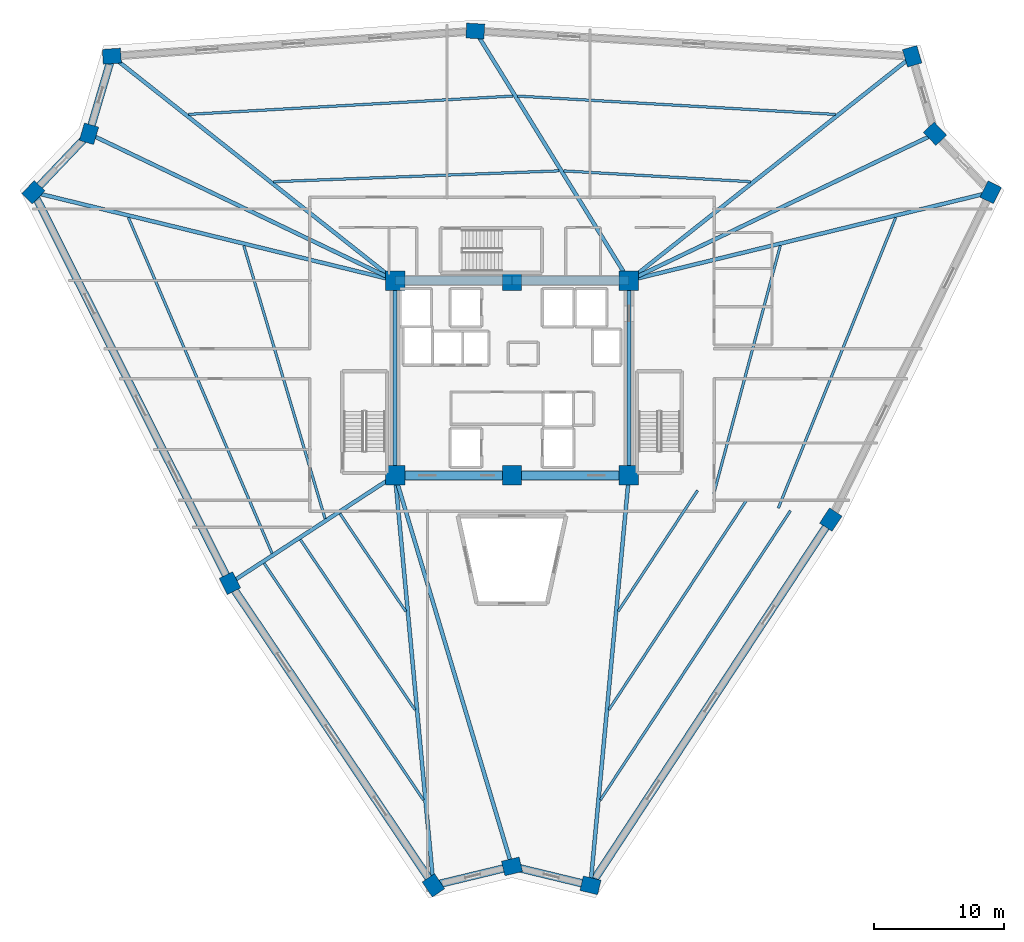
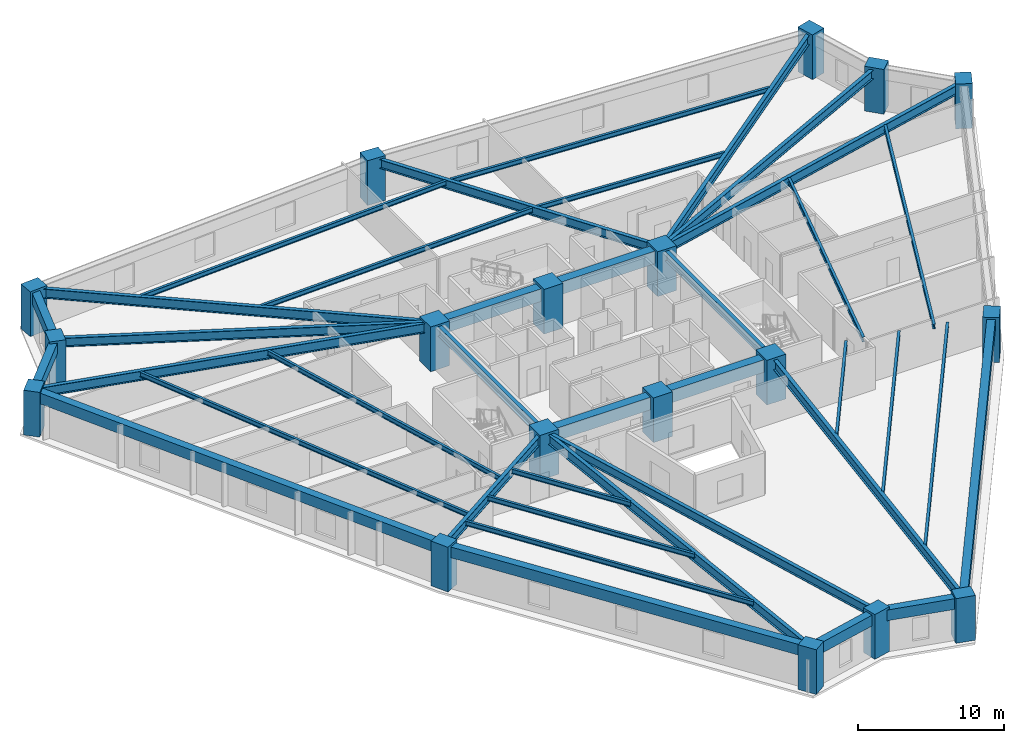
# One storey, part 1 of 8: 38 beams, 18 columns.
"""IFC4 building model written with IfcOpenShell, lengths in metres."""

from ifc_helpers import new_model, si_unit, direction, frame, origin, origin_2d, place, context, subcontext, project, spatial, rectangle, i_section, extrude, source, transform, mapped, material, material_profile, profile_set, type_object, element, save


model = new_model("IFC4")

# Units and contexts
model_context = context("Model", 3, precision=1e-05, world=origin(), true_north=direction((0.0, 1.0)))
body_context = subcontext(model_context, "Body", "Model", "MODEL_VIEW")
ifc_project = project(units=[si_unit("LENGTHUNIT", "METRE"), si_unit("AREAUNIT", "SQUARE_METRE"), si_unit("VOLUMEUNIT", "CUBIC_METRE"), si_unit("PLANEANGLEUNIT", "RADIAN"), si_unit("MASSUNIT", "GRAM", prefix="KILO")], contexts=[model_context])

# Site, building, storey
site_placement = place(None, origin())
site = spatial("IfcSite", under=ifc_project, at=site_placement, CompositionType="ELEMENT")
building_placement = place(site_placement, origin())
building = spatial("IfcBuilding", under=site, at=building_placement, Name="Liaohun Quay Tower", CompositionType="ELEMENT")
storey_placement = place(building_placement, frame((0.0, 0.0, 105.75)))
storey = spatial("IfcBuildingStorey", under=building, at=storey_placement, Name="L27", CompositionType="ELEMENT", Elevation=105.75)

# Columns
ifc_material_1 = material(Name="Concrete C60", Category="concrete")
ifc_material_profile_1 = material_profile(ifc_material_1, rectangle(XDim=1.5, YDim=1.5, at=origin_2d()), Name="RC1500x1500")
ifc_profile_set_1 = profile_set([ifc_material_profile_1], Name="Concrete C60")
column_type_1 = type_object("IfcColumnType", Name="COL-CC-Z2", PredefinedType="COLUMN", material=ifc_profile_set_1)
shared_shape_1 = source(origin(), body_context, "Body", "SweptSolid", [
    extrude(rectangle(XDim=1.5, YDim=1.5, at=origin_2d()), origin(), (0.0, 0.0, 1.0), 3.75),
])
for number, where, z_axis, x_axis, name in (
    (1, (51.0, 46.5, 0.0), (0.0, 0.0, 1.0), (1.0, 0.0, 0.0), "L27 Core Column CC1"),
    (2, (60.0, 46.5, 0.0), (0.0, 0.0, 1.0), (1.0, 0.0, 0.0), "L27 Core Column CC2"),
    (3, (69.0, 46.5, 0.0), (0.0, 0.0, 1.0), (1.0, 0.0, 0.0), "L27 Core Column CC3"),
    (4, (69.0, 61.5, 0.0), (0.0, 0.0, 1.0), (1.0, 0.0, 0.0), "L27 Core Column CC4"),
    (5, (60.0, 61.5, 0.0), (0.0, 0.0, 1.0), (1.0, 0.0, 0.0), "L27 Core Column CC5"),
    (6, (51.0, 61.5, 0.0), (0.0, 0.0, 1.0), (1.0, 0.0, 0.0), "L27 Core Column CC6"),
):
    element("IfcColumn", number, at=place(storey_placement, frame(where, z_axis=z_axis, x_axis=x_axis)), inside=storey, type_object=column_type_1, Name=name, PredefinedType="COLUMN", context=body_context, shape_type="MappedRepresentation", body=[
        mapped(shared_shape_1, transform((0.0, 0.0, 0.0), x_axis=(1.0, 0.0, 0.0), y_axis=(0.0, 1.0, 0.0), z_axis=(0.0, 0.0, 1.0), scale=1.0)),
    ])
ifc_material_profile_2 = material_profile(ifc_material_1, rectangle(XDim=1.39990234375, YDim=1.14990234375, at=origin_2d()), Name="RC1400x1150")
ifc_profile_set_2 = profile_set([ifc_material_profile_2], Name="Concrete C60")
column_type_2 = type_object("IfcColumnType", Name="COL-PIER-Z2", PredefinedType="COLUMN", material=ifc_profile_set_2)
shared_shape_2 = source(origin(), body_context, "Body", "SweptSolid", [
    extrude(rectangle(XDim=1.39990234375, YDim=1.14990234375, at=origin_2d()), origin(), (0.0, 0.0, 1.0), 3.75),
])
for number, where, z_axis, x_axis, name in (
    (7, (53.9541015625, 14.950927734375, 0.0), (0.0, 0.0, 1.0), (-0.558613989835, 0.829427760785, 0.0), "L27 Perimeter Pier PC01"),
    (8, (38.2919921875, 38.205078125, 0.0), (0.0, 0.0, 1.0), (-0.449163069051, 0.89344979568, 0.0), "L27 Perimeter Pier PC02"),
    (9, (23.1640625, 68.29296875, 0.0), (0.0, 0.0, 1.0), (0.68936671806, 0.724412539946, 0.0), "L27 Perimeter Pier PC03"),
    (10, (27.447021484375, 72.7939453125, 0.0), (0.0, 0.0, 1.0), (0.282676303383, 0.959215360337, 0.0), "L27 Perimeter Pier PC04"),
    (11, (29.2060546875, 78.760986328125, 0.0), (0.0, 0.0, 1.0), (0.997612506361, 0.069060025714, 0.0), "L27 Perimeter Pier PC05"),
    (12, (57.175048828125, 80.697021484375, 0.0), (0.0, 0.0, 1.0), (-0.99833175459, 0.0577382696, 0.0), "L27 Perimeter Pier PC06"),
    (13, (90.7958984375, 78.75390625, 0.0), (0.0, 0.0, 1.0), (-0.282676303383, 0.959215360337, 0.0), "L27 Perimeter Pier PC07"),
    (14, (92.552978515625, 72.7939453125, 0.0), (0.0, 0.0, 1.0), (-0.68936671806, 0.724412539946, 0.0), "L27 Perimeter Pier PC08"),
    (15, (96.841064453125, 68.2880859375, 0.0), (0.0, 0.0, 1.0), (0.438998516526, 0.898487786499, 0.0), "L27 Perimeter Pier PC09"),
    (16, (84.532958984375, 43.097900390625, 0.0), (0.0, 0.0, 1.0), (0.549168685539, 0.83571152608, 0.0), "L27 Perimeter Pier PC10"),
    (17, (66.0390625, 14.952880859375, 0.0), (0.0, 0.0, 1.0), (-0.972043021443, 0.234802820391, 0.0), "L27 Perimeter Pier PC11"),
    (18, (60.0, 16.410888671875, 0.0), (0.0, 0.0, 1.0), (0.972043021443, 0.234802820391, 0.0), "L27 Perimeter Pier PC12"),
):
    element("IfcColumn", number, at=place(storey_placement, frame(where, z_axis=z_axis, x_axis=x_axis)), inside=storey, type_object=column_type_2, Name=name, PredefinedType="COLUMN", context=body_context, shape_type="MappedRepresentation", body=[
        mapped(shared_shape_2, transform((0.0, 0.0, 0.0), x_axis=(1.0, 0.0, 0.0), y_axis=(0.0, 1.0, 0.0), z_axis=(0.0, 0.0, 1.0), scale=1.0)),
    ])

# Beams
ifc_material_profile_3 = material_profile(ifc_material_1, rectangle(XDim=0.699951171875, YDim=1.050048828125, at=origin_2d()), Name="RC700x1050")
ifc_profile_set_3 = profile_set([ifc_material_profile_3], Name="Concrete C60")
beam_type_1 = type_object("IfcBeamType", Name="BM-CPL-1", PredefinedType="LINTEL", material=ifc_profile_set_3)
shared_shape_3 = source(origin(), body_context, "Body", "SweptSolid", [
    extrude(rectangle(XDim=0.699951171875, YDim=1.050048828125, at=origin_2d()), origin(), (0.0, 0.0, 1.0), 9.0),
])
for number, where, z_axis, x_axis, name in (
    (19, (51.0, 46.5, 3.044921875), (1.0, 0.0, 0.0), (0.0, 1.0, 0.0), "L27 Core Coupling/Ring Beam CC1-CC2"),
    (20, (60.0, 46.5, 3.044921875), (1.0, 0.0, 0.0), (0.0, 1.0, 0.0), "L27 Core Coupling/Ring Beam CC2-CC3"),
    (21, (69.0, 61.5, 3.044921875), (-1.0, 0.0, 0.0), (0.0, -1.0, 0.0), "L27 Core Coupling/Ring Beam CC4-CC5"),
    (22, (60.0, 61.5, 3.044921875), (-1.0, 0.0, 0.0), (0.0, -1.0, 0.0), "L27 Core Coupling/Ring Beam CC5-CC6"),
):
    element("IfcBeam", number, at=place(storey_placement, frame(where, z_axis=z_axis, x_axis=x_axis)), inside=storey, type_object=beam_type_1, Name=name, PredefinedType="LINTEL", context=body_context, shape_type="MappedRepresentation", body=[
        mapped(shared_shape_3, transform((0.0, 0.0, 0.0), x_axis=(1.0, 0.0, 0.0), y_axis=(0.0, 1.0, 0.0), z_axis=(0.0, 0.0, 1.0), scale=1.0)),
    ])
ifc_material_2 = material(Name="Steel Q355D", Category="steel")
ifc_material_profile_4 = material_profile(ifc_material_2, i_section(OverallWidth=0.300048828125, OverallDepth=0.800048828125, WebThickness=0.013916015625, FlangeThickness=0.02587890625, at=origin_2d()), Name="HN800x300x14x26")
ifc_profile_set_4 = profile_set([ifc_material_profile_4], Name="Steel Q355D")
beam_type_2 = type_object("IfcBeamType", Name="BM-RAD-M1", PredefinedType="BEAM", material=ifc_profile_set_4)
shared_shape_4 = source(origin(), body_context, "Body", "SweptSolid", [
    extrude(i_section(OverallWidth=0.300048828125, OverallDepth=0.800048828125, WebThickness=0.013916015625, FlangeThickness=0.02587890625, at=origin_2d()), origin(), (0.0, 0.0, 1.0), 15.0),
])
for number, where, z_axis, x_axis, name in (
    (23, (69.0, 46.5, 3.169921875), (0.0, 1.0, 0.0), (-1.0, 0.0, 0.0), "L27 Core Coupling/Ring Beam CC3-CC4"),
    (24, (51.0, 61.5, 3.169921875), (0.0, -1.0, 0.0), (1.0, 0.0, 0.0), "L27 Core Coupling/Ring Beam CC6-CC1"),
):
    element("IfcBeam", number, at=place(storey_placement, frame(where, z_axis=z_axis, x_axis=x_axis)), inside=storey, type_object=beam_type_2, Name=name, PredefinedType="BEAM", context=body_context, shape_type="MappedRepresentation", body=[
        mapped(shared_shape_4, transform((0.0, 0.0, 0.0), x_axis=(1.0, 0.0, 0.0), y_axis=(0.0, 1.0, 0.0), z_axis=(0.0, 0.0, 1.0), scale=1.0)),
    ])
shared_shape_5 = source(origin(), body_context, "Body", "SweptSolid", [
    extrude(i_section(OverallWidth=0.300048828125, OverallDepth=0.800048828125, WebThickness=0.013916015625, FlangeThickness=0.02587890625, at=origin_2d()), origin(), (0.0, 0.0, 1.0), 31.68701171875),
])
beam_1_placement = place(storey_placement, frame((51.0, 46.5, 3.169921875), z_axis=(0.093227337297, -0.995644848116, 0.0), x_axis=(0.995644848116, 0.093227337297, 0.0)))
element("IfcBeam", 25, at=beam_1_placement, inside=storey, type_object=beam_type_2, Name="L27 Radial Primary Girder CC1-PC01", PredefinedType="BEAM", context=body_context, shape_type="MappedRepresentation", body=[
    mapped(shared_shape_5, transform((0.0, 0.0, 0.0), x_axis=(1.0, 0.0, 0.0), y_axis=(0.0, 1.0, 0.0), z_axis=(0.0, 0.0, 1.0), scale=1.0)),
])
ifc_material_profile_5 = material_profile(ifc_material_2, i_section(OverallWidth=0.300048828125, OverallDepth=0.75, WebThickness=0.013916015625, FlangeThickness=0.02587890625, at=origin_2d()), Name="HN750x300x14x26")
ifc_profile_set_5 = profile_set([ifc_material_profile_5], Name="Steel Q355D")
beam_type_3 = type_object("IfcBeamType", Name="BM-RAD-M2", PredefinedType="BEAM", material=ifc_profile_set_5)
shared_shape_6 = source(origin(), body_context, "Body", "SweptSolid", [
    extrude(i_section(OverallWidth=0.300048828125, OverallDepth=0.75, WebThickness=0.013916015625, FlangeThickness=0.02587890625, at=origin_2d()), origin(), (0.0, 0.0, 1.0), 15.175537109375),
])
beam_2_placement = place(storey_placement, frame((51.0, 46.5, 3.195068359375), z_axis=(-0.837396741296, -0.546595552184, 0.0), x_axis=(0.546595552184, -0.837396741296, 0.0)))
element("IfcBeam", 26, at=beam_2_placement, inside=storey, type_object=beam_type_3, Name="L27 Radial Primary Girder CC1-PC02", PredefinedType="BEAM", context=body_context, shape_type="MappedRepresentation", body=[
    mapped(shared_shape_6, transform((0.0, 0.0, 0.0), x_axis=(1.0, 0.0, 0.0), y_axis=(0.0, 1.0, 0.0), z_axis=(0.0, 0.0, 1.0), scale=1.0)),
])
shared_shape_7 = source(origin(), body_context, "Body", "SweptSolid", [
    extrude(i_section(OverallWidth=0.300048828125, OverallDepth=0.800048828125, WebThickness=0.013916015625, FlangeThickness=0.02587890625, at=origin_2d()), origin(), (0.0, 0.0, 1.0), 28.65283203125),
])
beam_3_placement = place(storey_placement, frame((51.0, 61.5, 3.169921875), z_axis=(-0.971490477699, 0.237078577143, 0.0), x_axis=(-0.237078577143, -0.971490477699, 0.0)))
element("IfcBeam", 27, at=beam_3_placement, inside=storey, type_object=beam_type_2, Name="L27 Radial Primary Girder CC6-PC03", PredefinedType="BEAM", context=body_context, shape_type="MappedRepresentation", body=[
    mapped(shared_shape_7, transform((0.0, 0.0, 0.0), x_axis=(1.0, 0.0, 0.0), y_axis=(0.0, 1.0, 0.0), z_axis=(0.0, 0.0, 1.0), scale=1.0)),
])
shared_shape_8 = source(origin(), body_context, "Body", "SweptSolid", [
    extrude(i_section(OverallWidth=0.300048828125, OverallDepth=0.75, WebThickness=0.013916015625, FlangeThickness=0.02587890625, at=origin_2d()), origin(), (0.0, 0.0, 1.0), 26.120849609375),
])
for number, where, z_axis, x_axis, name in (
    (28, (51.0, 61.5, 3.195068359375), (-0.901694507085, 0.432373699354, 0.0), (-0.432373699354, -0.901694507085, 0.0), "L27 Radial Primary Girder CC6-PC04"),
    (29, (69.0, 61.5, 3.195068359375), (0.901694507085, 0.432373699354, 0.0), (-0.432373699354, 0.901694507085, 0.0), "L27 Radial Primary Girder CC4-PC08"),
):
    element("IfcBeam", number, at=place(storey_placement, frame(where, z_axis=z_axis, x_axis=x_axis)), inside=storey, type_object=beam_type_3, Name=name, PredefinedType="BEAM", context=body_context, shape_type="MappedRepresentation", body=[
        mapped(shared_shape_8, transform((0.0, 0.0, 0.0), x_axis=(1.0, 0.0, 0.0), y_axis=(0.0, 1.0, 0.0), z_axis=(0.0, 0.0, 1.0), scale=1.0)),
    ])
shared_shape_9 = source(origin(), body_context, "Body", "SweptSolid", [
    extrude(i_section(OverallWidth=0.300048828125, OverallDepth=0.800048828125, WebThickness=0.013916015625, FlangeThickness=0.02587890625, at=origin_2d()), origin(), (0.0, 0.0, 1.0), 27.801513671875),
])
beam_4_placement = place(storey_placement, frame((51.0, 61.5, 3.169921875), z_axis=(-0.783915460931, 0.620867578565, 0.0), x_axis=(-0.620867578565, -0.783915460931, 0.0)))
element("IfcBeam", 30, at=beam_4_placement, inside=storey, type_object=beam_type_2, Name="L27 Radial Primary Girder CC6-PC05", PredefinedType="BEAM", context=body_context, shape_type="MappedRepresentation", body=[
    mapped(shared_shape_9, transform((0.0, 0.0, 0.0), x_axis=(1.0, 0.0, 0.0), y_axis=(0.0, 1.0, 0.0), z_axis=(0.0, 0.0, 1.0), scale=1.0)),
])
shared_shape_10 = source(origin(), body_context, "Body", "SweptSolid", [
    extrude(i_section(OverallWidth=0.300048828125, OverallDepth=0.75, WebThickness=0.013916015625, FlangeThickness=0.02587890625, at=origin_2d()), origin(), (0.0, 0.0, 1.0), 22.546630859375),
])
beam_5_placement = place(storey_placement, frame((69.0, 61.5, 3.195068359375), z_axis=(-0.524464095376, 0.851432564953, 0.0), x_axis=(-0.851432564953, -0.524464095376, 0.0)))
element("IfcBeam", 31, at=beam_5_placement, inside=storey, type_object=beam_type_3, Name="L27 Radial Primary Girder CC4-PC06", PredefinedType="BEAM", context=body_context, shape_type="MappedRepresentation", body=[
    mapped(shared_shape_10, transform((0.0, 0.0, 0.0), x_axis=(1.0, 0.0, 0.0), y_axis=(0.0, 1.0, 0.0), z_axis=(0.0, 0.0, 1.0), scale=1.0)),
])
shared_shape_11 = source(origin(), body_context, "Body", "SweptSolid", [
    extrude(i_section(OverallWidth=0.300048828125, OverallDepth=0.800048828125, WebThickness=0.013916015625, FlangeThickness=0.02587890625, at=origin_2d()), origin(), (0.0, 0.0, 1.0), 27.798583984375),
])
beam_6_placement = place(storey_placement, frame((69.0, 61.5, 3.169921875), z_axis=(0.784066482117, 0.620676849592, 0.0), x_axis=(-0.620676849592, 0.784066482117, 0.0)))
element("IfcBeam", 32, at=beam_6_placement, inside=storey, type_object=beam_type_2, Name="L27 Radial Primary Girder CC4-PC07", PredefinedType="BEAM", context=body_context, shape_type="MappedRepresentation", body=[
    mapped(shared_shape_11, transform((0.0, 0.0, 0.0), x_axis=(1.0, 0.0, 0.0), y_axis=(0.0, 1.0, 0.0), z_axis=(0.0, 0.0, 1.0), scale=1.0)),
])
shared_shape_12 = source(origin(), body_context, "Body", "SweptSolid", [
    extrude(i_section(OverallWidth=0.300048828125, OverallDepth=0.800048828125, WebThickness=0.013916015625, FlangeThickness=0.02587890625, at=origin_2d()), origin(), (0.0, 0.0, 1.0), 28.65673828125),
])
beam_7_placement = place(storey_placement, frame((69.0, 61.5, 3.169921875), z_axis=(0.971539756758, 0.23687655232, 0.0), x_axis=(-0.23687655232, 0.971539756758, 0.0)))
element("IfcBeam", 33, at=beam_7_placement, inside=storey, type_object=beam_type_2, Name="L27 Radial Primary Girder CC4-PC09", PredefinedType="BEAM", context=body_context, shape_type="MappedRepresentation", body=[
    mapped(shared_shape_12, transform((0.0, 0.0, 0.0), x_axis=(1.0, 0.0, 0.0), y_axis=(0.0, 1.0, 0.0), z_axis=(0.0, 0.0, 1.0), scale=1.0)),
])
shared_shape_13 = source(origin(), body_context, "Body", "SweptSolid", [
    extrude(i_section(OverallWidth=0.300048828125, OverallDepth=0.800048828125, WebThickness=0.013916015625, FlangeThickness=0.02587890625, at=origin_2d()), origin(), (0.0, 0.0, 1.0), 31.685791015625),
])
beam_8_placement = place(storey_placement, frame((69.0, 46.5, 3.169921875), z_axis=(-0.093446923072, -0.995624262746, 0.0), x_axis=(0.995624262746, -0.093446923072, 0.0)))
element("IfcBeam", 34, at=beam_8_placement, inside=storey, type_object=beam_type_2, Name="L27 Radial Primary Girder CC3-PC11", PredefinedType="BEAM", context=body_context, shape_type="MappedRepresentation", body=[
    mapped(shared_shape_13, transform((0.0, 0.0, 0.0), x_axis=(1.0, 0.0, 0.0), y_axis=(0.0, 1.0, 0.0), z_axis=(0.0, 0.0, 1.0), scale=1.0)),
])
shared_shape_14 = source(origin(), body_context, "Body", "SweptSolid", [
    extrude(i_section(OverallWidth=0.300048828125, OverallDepth=0.75, WebThickness=0.013916015625, FlangeThickness=0.02587890625, at=origin_2d()), origin(), (0.0, 0.0, 1.0), 31.40625),
])
beam_9_placement = place(storey_placement, frame((51.0, 46.5, 3.195068359375), z_axis=(0.286566861815, -0.958060245344, 0.0), x_axis=(0.958060245344, 0.286566861815, 0.0)))
element("IfcBeam", 35, at=beam_9_placement, inside=storey, type_object=beam_type_3, Name="L27 Radial Primary Girder CC1-PC12", PredefinedType="BEAM", context=body_context, shape_type="MappedRepresentation", body=[
    mapped(shared_shape_14, transform((0.0, 0.0, 0.0), x_axis=(1.0, 0.0, 0.0), y_axis=(0.0, 1.0, 0.0), z_axis=(0.0, 0.0, 1.0), scale=1.0)),
])
ifc_material_profile_6 = material_profile(ifc_material_2, i_section(OverallWidth=0.199951171875, OverallDepth=0.39990234375, WebThickness=0.008056640625, FlangeThickness=0.012939453125, at=origin_2d()), Name="HN400x200x8x13")
ifc_profile_set_6 = profile_set([ifc_material_profile_6], Name="Steel Q355D")
beam_type_4 = type_object("IfcBeamType", Name="BM-SEC-J2", PredefinedType="JOIST", material=ifc_profile_set_6)
shared_shape_15 = source(origin(), body_context, "Body", "SweptSolid", [
    extrude(i_section(OverallWidth=0.199951171875, OverallDepth=0.39990234375, WebThickness=0.008056640625, FlangeThickness=0.012939453125, at=origin_2d()), origin(), (0.0, 0.0, 1.0), 9.06884765625),
])
beam_10_placement = place(storey_placement, frame((51.8291015625, 36.032958984375, 3.3701171875), z_axis=(-0.55862645888, 0.829419362831, 0.0), x_axis=(-0.829419362831, -0.55862645888, 0.0)))
element("IfcBeam", 36, at=beam_10_placement, inside=storey, type_object=beam_type_4, Name="L27 Wing Secondary Floor Joist SJ-01", PredefinedType="JOIST", context=body_context, shape_type="MappedRepresentation", body=[
    mapped(shared_shape_15, transform((0.0, 0.0, 0.0), x_axis=(1.0, 0.0, 0.0), y_axis=(0.0, 1.0, 0.0), z_axis=(0.0, 0.0, 1.0), scale=1.0)),
])
shared_shape_16 = source(origin(), body_context, "Body", "SweptSolid", [
    extrude(i_section(OverallWidth=0.199951171875, OverallDepth=0.39990234375, WebThickness=0.008056640625, FlangeThickness=0.012939453125, at=origin_2d()), origin(), (0.0, 0.0, 1.0), 15.7978515625),
])
beam_11_placement = place(storey_placement, frame((52.5380859375, 28.4609375, 3.3701171875), z_axis=(-0.558631189676, 0.829416176549, 0.0), x_axis=(-0.829416176549, -0.558631189676, 0.0)))
element("IfcBeam", 37, at=beam_11_placement, inside=storey, type_object=beam_type_4, Name="L27 Wing Secondary Floor Joist SJ-02", PredefinedType="JOIST", context=body_context, shape_type="MappedRepresentation", body=[
    mapped(shared_shape_16, transform((0.0, 0.0, 0.0), x_axis=(1.0, 0.0, 0.0), y_axis=(0.0, 1.0, 0.0), z_axis=(0.0, 0.0, 1.0), scale=1.0)),
])
shared_shape_17 = source(origin(), body_context, "Body", "SweptSolid", [
    extrude(i_section(OverallWidth=0.199951171875, OverallDepth=0.39990234375, WebThickness=0.008056640625, FlangeThickness=0.012939453125, at=origin_2d()), origin(), (0.0, 0.0, 1.0), 21.966064453125),
])
beam_12_placement = place(storey_placement, frame((53.18798828125, 21.52099609375, 3.3701171875), z_axis=(-0.558633617235, 0.829414541526, 0.0), x_axis=(-0.829414541526, -0.558633617235, 0.0)))
element("IfcBeam", 38, at=beam_12_placement, inside=storey, type_object=beam_type_4, Name="L27 Wing Secondary Floor Joist SJ-03", PredefinedType="JOIST", context=body_context, shape_type="MappedRepresentation", body=[
    mapped(shared_shape_17, transform((0.0, 0.0, 0.0), x_axis=(1.0, 0.0, 0.0), y_axis=(0.0, 1.0, 0.0), z_axis=(0.0, 0.0, 1.0), scale=1.0)),
])
shared_shape_18 = source(origin(), body_context, "Body", "SweptSolid", [
    extrude(i_section(OverallWidth=0.199951171875, OverallDepth=0.39990234375, WebThickness=0.008056640625, FlangeThickness=0.012939453125, at=origin_2d()), origin(), (0.0, 0.0, 1.0), 21.933349609375),
])
beam_13_placement = place(storey_placement, frame((45.617919921875, 43.166015625, 3.3701171875), z_axis=(-0.285411109474, 0.958405184976, 0.0), x_axis=(-0.958405184976, -0.285411109474, 0.0)))
element("IfcBeam", 39, at=beam_13_placement, inside=storey, type_object=beam_type_4, Name="L27 Wing Secondary Floor Joist SJ-04", PredefinedType="JOIST", context=body_context, shape_type="MappedRepresentation", body=[
    mapped(shared_shape_18, transform((0.0, 0.0, 0.0), x_axis=(1.0, 0.0, 0.0), y_axis=(0.0, 1.0, 0.0), z_axis=(0.0, 0.0, 1.0), scale=1.0)),
])
shared_shape_19 = source(origin(), body_context, "Body", "SweptSolid", [
    extrude(i_section(OverallWidth=0.199951171875, OverallDepth=0.39990234375, WebThickness=0.008056640625, FlangeThickness=0.012939453125, at=origin_2d()), origin(), (0.0, 0.0, 1.0), 28.118896484375),
])
beam_14_placement = place(storey_placement, frame((41.535888671875, 40.501953125, 3.3701171875), z_axis=(-0.393358608191, 0.919385123527, 0.0), x_axis=(-0.919385123527, -0.393358608191, 0.0)))
element("IfcBeam", 40, at=beam_14_placement, inside=storey, type_object=beam_type_4, Name="L27 Wing Secondary Floor Joist SJ-05", PredefinedType="JOIST", context=body_context, shape_type="MappedRepresentation", body=[
    mapped(shared_shape_19, transform((0.0, 0.0, 0.0), x_axis=(1.0, 0.0, 0.0), y_axis=(0.0, 1.0, 0.0), z_axis=(0.0, 0.0, 1.0), scale=1.0)),
])
shared_shape_20 = source(origin(), body_context, "Body", "SweptSolid", [
    extrude(i_section(OverallWidth=0.199951171875, OverallDepth=0.39990234375, WebThickness=0.008056640625, FlangeThickness=0.012939453125, at=origin_2d()), origin(), (0.0, 0.0, 1.0), 21.999755859375),
])
beam_15_placement = place(storey_placement, frame((41.64111328125, 69.10400390625, 3.3701171875), z_axis=(0.999277832372, 0.037997549009, 0.0), x_axis=(-0.037997549009, 0.999277832372, 0.0)))
element("IfcBeam", 41, at=beam_15_placement, inside=storey, type_object=beam_type_4, Name="L27 Wing Secondary Floor Joist SJ-06", PredefinedType="JOIST", context=body_context, shape_type="MappedRepresentation", body=[
    mapped(shared_shape_20, transform((0.0, 0.0, 0.0), x_axis=(1.0, 0.0, 0.0), y_axis=(0.0, 1.0, 0.0), z_axis=(0.0, 0.0, 1.0), scale=1.0)),
])
shared_shape_21 = source(origin(), body_context, "Body", "SweptSolid", [
    extrude(i_section(OverallWidth=0.199951171875, OverallDepth=0.39990234375, WebThickness=0.008056640625, FlangeThickness=0.012939453125, at=origin_2d()), origin(), (0.0, 0.0, 1.0), 25.02099609375),
])
beam_16_placement = place(storey_placement, frame((35.097900390625, 74.285888671875, 3.3701171875), z_axis=(0.998410569796, 0.05635897551, 0.0), x_axis=(-0.05635897551, 0.998410569796, 0.0)))
element("IfcBeam", 42, at=beam_16_placement, inside=storey, type_object=beam_type_4, Name="L27 Wing Secondary Floor Joist SJ-07", PredefinedType="JOIST", context=body_context, shape_type="MappedRepresentation", body=[
    mapped(shared_shape_21, transform((0.0, 0.0, 0.0), x_axis=(1.0, 0.0, 0.0), y_axis=(0.0, 1.0, 0.0), z_axis=(0.0, 0.0, 1.0), scale=1.0)),
])
shared_shape_22 = source(origin(), body_context, "Body", "SweptSolid", [
    extrude(i_section(OverallWidth=0.199951171875, OverallDepth=0.39990234375, WebThickness=0.008056640625, FlangeThickness=0.012939453125, at=origin_2d()), origin(), (0.0, 0.0, 1.0), 14.408935546875),
])
beam_17_placement = place(storey_placement, frame((63.97998046875, 69.93603515625, 3.3701171875), z_axis=(0.998335348175, -0.057676100629, 0.0), x_axis=(0.057676100629, 0.998335348175, 0.0)))
element("IfcBeam", 43, at=beam_17_placement, inside=storey, type_object=beam_type_4, Name="L27 Wing Secondary Floor Joist SJ-08", PredefinedType="JOIST", context=body_context, shape_type="MappedRepresentation", body=[
    mapped(shared_shape_22, transform((0.0, 0.0, 0.0), x_axis=(1.0, 0.0, 0.0), y_axis=(0.0, 1.0, 0.0), z_axis=(0.0, 0.0, 1.0), scale=1.0)),
])
shared_shape_23 = source(origin(), body_context, "Body", "SweptSolid", [
    extrude(i_section(OverallWidth=0.199951171875, OverallDepth=0.39990234375, WebThickness=0.008056640625, FlangeThickness=0.012939453125, at=origin_2d()), origin(), (0.0, 0.0, 1.0), 24.512939453125),
])
beam_18_placement = place(storey_placement, frame((60.431884765625, 75.695068359375, 3.3701171875), z_axis=(0.998334761419, -0.057686256092, 0.0), x_axis=(0.057686256092, 0.998334761419, 0.0)))
element("IfcBeam", 44, at=beam_18_placement, inside=storey, type_object=beam_type_4, Name="L27 Wing Secondary Floor Joist SJ-09", PredefinedType="JOIST", context=body_context, shape_type="MappedRepresentation", body=[
    mapped(shared_shape_23, transform((0.0, 0.0, 0.0), x_axis=(1.0, 0.0, 0.0), y_axis=(0.0, 1.0, 0.0), z_axis=(0.0, 0.0, 1.0), scale=1.0)),
])
shared_shape_24 = source(origin(), body_context, "Body", "SweptSolid", [
    extrude(i_section(OverallWidth=0.199951171875, OverallDepth=0.39990234375, WebThickness=0.008056640625, FlangeThickness=0.012939453125, at=origin_2d()), origin(), (0.0, 0.0, 1.0), 19.7900390625),
])
beam_19_placement = place(storey_placement, frame((80.64892578125, 64.18603515625, 3.3701171875), z_axis=(-0.258967729361, -0.965885974196, 0.0), x_axis=(0.965885974196, -0.258967729361, 0.0)))
element("IfcBeam", 45, at=beam_19_placement, inside=storey, type_object=beam_type_4, Name="L27 Wing Secondary Floor Joist SJ-10", PredefinedType="JOIST", context=body_context, shape_type="MappedRepresentation", body=[
    mapped(shared_shape_24, transform((0.0, 0.0, 0.0), x_axis=(1.0, 0.0, 0.0), y_axis=(0.0, 1.0, 0.0), z_axis=(0.0, 0.0, 1.0), scale=1.0)),
])
shared_shape_25 = source(origin(), body_context, "Body", "SweptSolid", [
    extrude(i_section(OverallWidth=0.199951171875, OverallDepth=0.39990234375, WebThickness=0.008056640625, FlangeThickness=0.012939453125, at=origin_2d()), origin(), (0.0, 0.0, 1.0), 24.12646484375),
])
beam_20_placement = place(storey_placement, frame((89.532958984375, 66.35205078125, 3.3701171875), z_axis=(-0.374654447943, -0.927164518646, 0.0), x_axis=(0.927164518646, -0.374654447943, 0.0)))
element("IfcBeam", 46, at=beam_20_placement, inside=storey, type_object=beam_type_4, Name="L27 Wing Secondary Floor Joist SJ-11", PredefinedType="JOIST", context=body_context, shape_type="MappedRepresentation", body=[
    mapped(shared_shape_25, transform((0.0, 0.0, 0.0), x_axis=(1.0, 0.0, 0.0), y_axis=(0.0, 1.0, 0.0), z_axis=(0.0, 0.0, 1.0), scale=1.0)),
])
shared_shape_26 = source(origin(), body_context, "Body", "SweptSolid", [
    extrude(i_section(OverallWidth=0.199951171875, OverallDepth=0.39990234375, WebThickness=0.008056640625, FlangeThickness=0.012939453125, at=origin_2d()), origin(), (0.0, 0.0, 1.0), 11.129638671875),
])
beam_21_placement = place(storey_placement, frame((74.281005859375, 45.343017578125, 3.3701171875), z_axis=(-0.549175260305, -0.835707205586, 0.0), x_axis=(0.835707205586, -0.549175260305, 0.0)))
element("IfcBeam", 47, at=beam_21_placement, inside=storey, type_object=beam_type_4, Name="L27 Wing Secondary Floor Joist SJ-12", PredefinedType="JOIST", context=body_context, shape_type="MappedRepresentation", body=[
    mapped(shared_shape_26, transform((0.0, 0.0, 0.0), x_axis=(1.0, 0.0, 0.0), y_axis=(0.0, 1.0, 0.0), z_axis=(0.0, 0.0, 1.0), scale=1.0)),
])
shared_shape_27 = source(origin(), body_context, "Body", "SweptSolid", [
    extrude(i_section(OverallWidth=0.199951171875, OverallDepth=0.39990234375, WebThickness=0.008056640625, FlangeThickness=0.012939453125, at=origin_2d()), origin(), (0.0, 0.0, 1.0), 19.21337890625),
])
beam_22_placement = place(storey_placement, frame((78.009033203125, 44.527099609375, 3.3701171875), z_axis=(-0.549148727391, -0.835724640779, 0.0), x_axis=(0.835724640779, -0.549148727391, 0.0)))
element("IfcBeam", 48, at=beam_22_placement, inside=storey, type_object=beam_type_4, Name="L27 Wing Secondary Floor Joist SJ-13", PredefinedType="JOIST", context=body_context, shape_type="MappedRepresentation", body=[
    mapped(shared_shape_27, transform((0.0, 0.0, 0.0), x_axis=(1.0, 0.0, 0.0), y_axis=(0.0, 1.0, 0.0), z_axis=(0.0, 0.0, 1.0), scale=1.0)),
])
shared_shape_28 = source(origin(), body_context, "Body", "SweptSolid", [
    extrude(i_section(OverallWidth=0.199951171875, OverallDepth=0.39990234375, WebThickness=0.008056640625, FlangeThickness=0.012939453125, at=origin_2d()), origin(), (0.0, 0.0, 1.0), 26.621337890625),
])
beam_23_placement = place(storey_placement, frame((81.426025390625, 43.778076171875, 3.3701171875), z_axis=(-0.549151534523, -0.835722796226, 0.0), x_axis=(0.835722796226, -0.549151534523, 0.0)))
element("IfcBeam", 49, at=beam_23_placement, inside=storey, type_object=beam_type_4, Name="L27 Wing Secondary Floor Joist SJ-14", PredefinedType="JOIST", context=body_context, shape_type="MappedRepresentation", body=[
    mapped(shared_shape_28, transform((0.0, 0.0, 0.0), x_axis=(1.0, 0.0, 0.0), y_axis=(0.0, 1.0, 0.0), z_axis=(0.0, 0.0, 1.0), scale=1.0)),
])
ifc_material_3 = material(Name="Precast concrete C55", Category="concrete")
ifc_material_profile_7 = material_profile(ifc_material_3, rectangle(XDim=0.60009765625, YDim=0.89990234375, at=origin_2d()), Name="RC600x900")
ifc_profile_set_7 = profile_set([ifc_material_profile_7], Name="Precast concrete C55")
beam_type_5 = type_object("IfcBeamType", Name="BM-SPD-Z2", PredefinedType="SPANDREL", material=ifc_profile_set_7)
shared_shape_29 = source(origin(), body_context, "Body", "SweptSolid", [
    extrude(rectangle(XDim=0.60009765625, YDim=0.89990234375, at=origin_2d()), origin(), (0.0, 0.0, 1.0), 28.03662109375),
])
beam_24_placement = place(storey_placement, frame((53.9541015625, 14.950927734375, 3.1201171875), z_axis=(-0.558628621166, 0.829417906495, 0.0), x_axis=(-0.829417906495, -0.558628621166, 0.0)))
element("IfcBeam", 50, at=beam_24_placement, inside=storey, type_object=beam_type_5, Name="L27 Precast Spandrel Beam PC01-PC02", PredefinedType="SPANDREL", context=body_context, shape_type="MappedRepresentation", body=[
    mapped(shared_shape_29, transform((0.0, 0.0, 0.0), x_axis=(1.0, 0.0, 0.0), y_axis=(0.0, 1.0, 0.0), z_axis=(0.0, 0.0, 1.0), scale=1.0)),
])
shared_shape_30 = source(origin(), body_context, "Body", "SweptSolid", [
    extrude(rectangle(XDim=0.60009765625, YDim=0.89990234375, at=origin_2d()), origin(), (0.0, 0.0, 1.0), 33.677001953125),
])
beam_25_placement = place(storey_placement, frame((38.2919921875, 38.205078125, 3.1201171875), z_axis=(-0.449207543272, 0.893427435815, 0.0), x_axis=(-0.893427435815, -0.449207543272, 0.0)))
element("IfcBeam", 51, at=beam_25_placement, inside=storey, type_object=beam_type_5, Name="L27 Precast Spandrel Beam PC02-PC03", PredefinedType="SPANDREL", context=body_context, shape_type="MappedRepresentation", body=[
    mapped(shared_shape_30, transform((0.0, 0.0, 0.0), x_axis=(1.0, 0.0, 0.0), y_axis=(0.0, 1.0, 0.0), z_axis=(0.0, 0.0, 1.0), scale=1.0)),
])
shared_shape_31 = source(origin(), body_context, "Body", "SweptSolid", [
    extrude(rectangle(XDim=0.60009765625, YDim=0.89990234375, at=origin_2d()), origin(), (0.0, 0.0, 1.0), 6.213134765625),
])
beam_26_placement = place(storey_placement, frame((23.1640625, 68.29296875, 3.1201171875), z_axis=(0.68934406987, 0.724434091781, 0.0), x_axis=(-0.724434091781, 0.68934406987, 0.0)))
element("IfcBeam", 52, at=beam_26_placement, inside=storey, type_object=beam_type_5, Name="L27 Precast Spandrel Beam PC03-PC04", PredefinedType="SPANDREL", context=body_context, shape_type="MappedRepresentation", body=[
    mapped(shared_shape_31, transform((0.0, 0.0, 0.0), x_axis=(1.0, 0.0, 0.0), y_axis=(0.0, 1.0, 0.0), z_axis=(0.0, 0.0, 1.0), scale=1.0)),
])
shared_shape_32 = source(origin(), body_context, "Body", "SweptSolid", [
    extrude(rectangle(XDim=0.60009765625, YDim=0.89990234375, at=origin_2d()), origin(), (0.0, 0.0, 1.0), 6.220947265625),
])
beam_27_placement = place(storey_placement, frame((27.447021484375, 72.7939453125, 3.1201171875), z_axis=(0.282761195984, 0.959190338799, 0.0), x_axis=(-0.959190338799, 0.282761195984, 0.0)))
element("IfcBeam", 53, at=beam_27_placement, inside=storey, type_object=beam_type_5, Name="L27 Precast Spandrel Beam PC04-PC05", PredefinedType="SPANDREL", context=body_context, shape_type="MappedRepresentation", body=[
    mapped(shared_shape_32, transform((0.0, 0.0, 0.0), x_axis=(1.0, 0.0, 0.0), y_axis=(0.0, 1.0, 0.0), z_axis=(0.0, 0.0, 1.0), scale=1.0)),
])
shared_shape_33 = source(origin(), body_context, "Body", "SweptSolid", [
    extrude(rectangle(XDim=0.60009765625, YDim=0.89990234375, at=origin_2d()), origin(), (0.0, 0.0, 1.0), 33.677490234375),
])
beam_28_placement = place(storey_placement, frame((84.532958984375, 43.097900390625, 3.1201171875), z_axis=(-0.549148810226, -0.835724586348, 0.0), x_axis=(0.835724586348, -0.549148810226, 0.0)))
element("IfcBeam", 54, at=beam_28_placement, inside=storey, type_object=beam_type_5, Name="L27 Precast Spandrel Beam PC10-PC11", PredefinedType="SPANDREL", context=body_context, shape_type="MappedRepresentation", body=[
    mapped(shared_shape_33, transform((0.0, 0.0, 0.0), x_axis=(1.0, 0.0, 0.0), y_axis=(0.0, 1.0, 0.0), z_axis=(0.0, 0.0, 1.0), scale=1.0)),
])
shared_shape_34 = source(origin(), body_context, "Body", "SweptSolid", [
    extrude(rectangle(XDim=0.60009765625, YDim=0.89990234375, at=origin_2d()), origin(), (0.0, 0.0, 1.0), 6.212646484375),
])
beam_29_placement = place(storey_placement, frame((66.0390625, 14.952880859375, 3.1201171875), z_axis=(-0.972071080455, 0.234686630517, 0.0), x_axis=(-0.234686630517, -0.972071080455, 0.0)))
element("IfcBeam", 55, at=beam_29_placement, inside=storey, type_object=beam_type_5, Name="L27 Precast Spandrel Beam PC11-PC12", PredefinedType="SPANDREL", context=body_context, shape_type="MappedRepresentation", body=[
    mapped(shared_shape_34, transform((0.0, 0.0, 0.0), x_axis=(1.0, 0.0, 0.0), y_axis=(0.0, 1.0, 0.0), z_axis=(0.0, 0.0, 1.0), scale=1.0)),
])
shared_shape_35 = source(origin(), body_context, "Body", "SweptSolid", [
    extrude(rectangle(XDim=0.60009765625, YDim=0.89990234375, at=origin_2d()), origin(), (0.0, 0.0, 1.0), 6.2197265625),
])
beam_30_placement = place(storey_placement, frame((60.0, 16.410888671875, 3.1201171875), z_axis=(-0.972059975576, -0.234732622111, 0.0), x_axis=(0.234732622111, -0.972059975576, 0.0)))
element("IfcBeam", 56, at=beam_30_placement, inside=storey, type_object=beam_type_5, Name="L27 Precast Spandrel Beam PC12-PC01", PredefinedType="SPANDREL", context=body_context, shape_type="MappedRepresentation", body=[
    mapped(shared_shape_35, transform((0.0, 0.0, 0.0), x_axis=(1.0, 0.0, 0.0), y_axis=(0.0, 1.0, 0.0), z_axis=(0.0, 0.0, 1.0), scale=1.0)),
])

save(model, "model.ifc")
